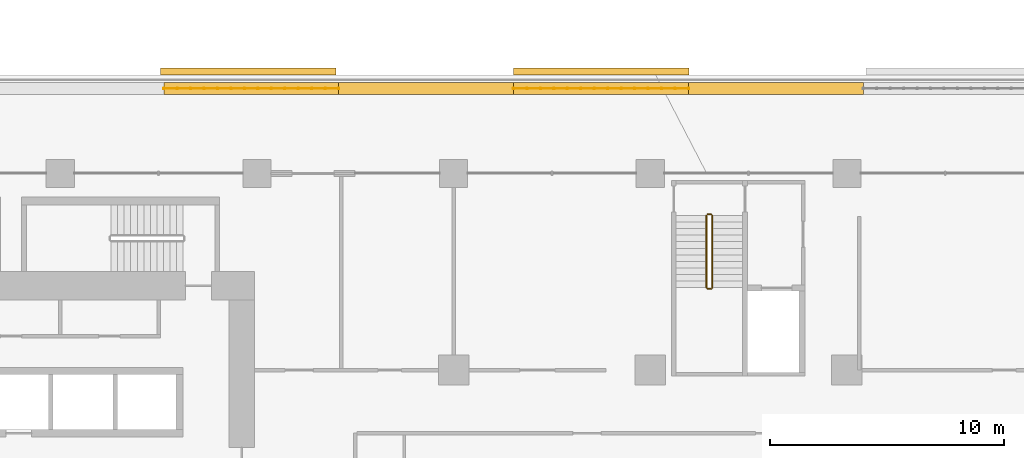
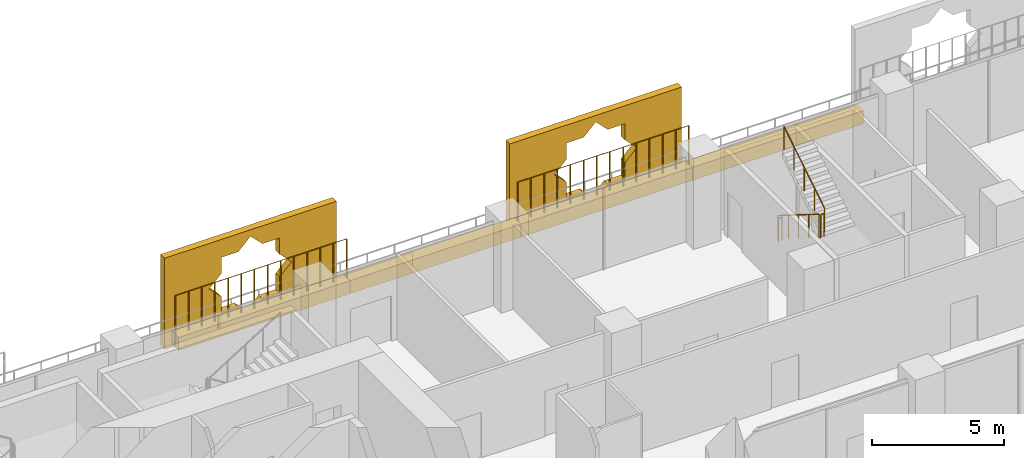
# One storey, part 26 of 27: 6 coverings, 6 railings.
"""IFC4 building model written with IfcOpenShell, lengths in metres."""

from ifc_helpers import new_model, si_unit, direction, frame, origin, origin_2d, place, context, subcontext, project, spatial, polyline, rectangle, circle, outline, extrude, material, material_profile, profile_set, type_object, element, save


model = new_model("IFC4")

# Units and contexts
model_context = context("Model", 3, precision=1e-05, world=origin(), true_north=direction((0.0, 1.0)))
body_context = subcontext(model_context, "Body", "Model", "MODEL_VIEW")
ifc_project = project(units=[si_unit("LENGTHUNIT", "METRE"), si_unit("AREAUNIT", "SQUARE_METRE"), si_unit("VOLUMEUNIT", "CUBIC_METRE"), si_unit("PLANEANGLEUNIT", "RADIAN"), si_unit("MASSUNIT", "GRAM", prefix="KILO")], contexts=[model_context])

# Site, building, storey
site_placement = place(None, origin())
site = spatial("IfcSite", under=ifc_project, at=site_placement, CompositionType="ELEMENT")
building_placement = place(site_placement, origin())
building = spatial("IfcBuilding", under=site, at=building_placement, Name="Kawkab Arch Medical Tower", CompositionType="ELEMENT")
storey_placement = place(building_placement, frame((0.0, 0.0, 39.199951171875)))
storey = spatial("IfcBuildingStorey", under=building, at=storey_placement, Name="L08", CompositionType="ELEMENT", Elevation=39.199951171875)

# Coverings
ifc_material_1 = material(Name="Bronze anodised aluminium mashrabiya panel, eight-point star pattern", Category="aluminium")
ifc_material_profile_1 = material_profile(ifc_material_1, outline(polyline([(-3.75, -2.10009765625), (3.75, -2.10009765625), (3.75, 2.10009765625), (-3.75, 2.10009765625), (-3.75, -2.10009765625)]), holes=[polyline([(1.800048828125, 0.0), (1.272705078125, 0.527099609375), (1.272705078125, 1.272705078125), (0.527099609375, 1.272705078125), (0.0, 1.800048828125), (-0.527099609375, 1.272705078125), (-1.272705078125, 1.272705078125), (-1.272705078125, 0.527099609375), (-1.800048828125, 0.0), (-1.272705078125, -0.527099609375), (-1.272705078125, -1.272705078125), (-0.527099609375, -1.272705078125), (0.0, -1.800048828125), (0.527099609375, -1.272705078125), (1.272705078125, -1.272705078125), (1.272705078125, -0.527099609375), (1.800048828125, 0.0)])]), Name="Mashrabiya panel 7500x4200")
ifc_profile_set_1 = profile_set([ifc_material_profile_1], Name="Bronze anodised aluminium mashrabiya panel, eight-point star pattern")
covering_type_1 = type_object("IfcCoveringType", Name="Mashrabiya panel 7500 x 4200", PredefinedType="USERDEFINED", material=ifc_profile_set_1)
for number, where, z_axis, x_axis, name in (
    (1, (24.83544921875, 4.199951171875, 1.699951171875), (0.0, 1.0, 0.0), (-1.0, 0.0, 0.0), "Mashrabiya panel L08.LOG-01-01.7"),
    (2, (39.89990234375, 4.199951171875, 1.699951171875), (0.0, 1.0, 0.0), (-1.0, 0.0, 0.0), "Mashrabiya panel L08.LOG-01-01.8"),
):
    element("IfcCovering", number, at=place(storey_placement, frame(where, z_axis=z_axis, x_axis=x_axis)), inside=storey, type_object=covering_type_1, Name=name, ObjectType="SCREEN", PredefinedType="USERDEFINED", context=body_context, shape_type="SweptSolid", body=[
        extrude(outline(polyline([(-3.75, -2.10009765625), (3.75, -2.10009765625), (3.75, 2.10009765625), (-3.75, 2.10009765625), (-3.75, -2.10009765625)]), holes=[polyline([(1.800048828125, 0.0), (1.272705078125, 0.527099609375), (1.272705078125, 1.272705078125), (0.527099609375, 1.272705078125), (0.0, 1.800048828125), (-0.527099609375, 1.272705078125), (-1.272705078125, 1.272705078125), (-1.272705078125, 0.527099609375), (-1.800048828125, 0.0), (-1.272705078125, -0.527099609375), (-1.272705078125, -1.272705078125), (-0.527099609375, -1.272705078125), (0.0, -1.800048828125), (0.527099609375, -1.272705078125), (1.272705078125, -1.272705078125), (1.272705078125, -0.527099609375), (1.800048828125, 0.0)])]), origin(), (0.0, 0.0, 1.0), 0.300048828125),
    ])
ifc_material_2 = material(Name="Planting soil in a precast trough", Category="concrete")
ifc_material_profile_2 = material_profile(ifc_material_2, rectangle(XDim=0.5, YDim=0.60009765625, at=origin_2d()), Name="Trough 500x600")
ifc_profile_set_2 = profile_set([ifc_material_profile_2], Name="Planting soil in a precast trough")
covering_type_2 = type_object("IfcCoveringType", Name="Planter trough 500 x 600", PredefinedType="USERDEFINED", material=ifc_profile_set_2)
covering_placement = place(storey_placement, frame((21.22412109375, 3.6201171875, 0.300048828125), z_axis=(1.0, 0.0, 0.0), x_axis=(0.0, 1.0, 0.0)))
element("IfcCovering", 3, at=covering_placement, inside=storey, type_object=covering_type_2, Name="Planter L08.LOG-01-01.27", ObjectType="PLANTER", PredefinedType="USERDEFINED", context=body_context, shape_type="SweptSolid", body=[
    extrude(rectangle(XDim=0.5, YDim=0.60009765625, at=origin_2d()), origin(), (0.0, 0.0, 1.0), 7.470947265625),
])
for number, where, z_axis, x_axis, name in (
    (4, (28.695068359375, 3.6201171875, 0.300048828125), (1.0, 0.0, 0.0), (0.0, 1.0, 0.0), "Planter L08.LOG-01-01.28"),
    (5, (36.1650390625, 3.6201171875, 0.300048828125), (1.0, 0.0, 0.0), (0.0, 1.0, 0.0), "Planter L08.LOG-01-01.29"),
    (6, (43.635009765625, 3.6201171875, 0.300048828125), (1.0, 0.0, 0.0), (0.0, 1.0, 0.0), "Planter L08.LOG-01-01.30"),
):
    element("IfcCovering", number, at=place(storey_placement, frame(where, z_axis=z_axis, x_axis=x_axis)), inside=storey, type_object=covering_type_2, Name=name, ObjectType="PLANTER", PredefinedType="USERDEFINED", context=body_context, shape_type="SweptSolid", body=[
        extrude(rectangle(XDim=0.5, YDim=0.60009765625, at=origin_2d()), origin(), (0.0, 0.0, 1.0), 7.469970703125),
    ])

# Railings
ifc_material_3 = material(Name="Bronze anodised aluminium trellis for climbing plants", Category="aluminium")
railing_type_1 = type_object("IfcRailingType", Name="Planting trellis 2400", PredefinedType="USERDEFINED", material=ifc_material_3)
railing_1_placement = place(storey_placement, frame((21.22412109375, 3.6201171875, 0.0)))
element("IfcRailing", 7, at=railing_1_placement, inside=storey, type_object=railing_type_1, Name="Planting trellis L08.LOG-01-01.27", ObjectType="TRELLIS", PredefinedType="USERDEFINED", context=body_context, shape_type="SweptSolid", body=[
    extrude(circle(Radius=0.01513671875, at=origin_2d()), frame((0.0, 0.0, 2.384765625), z_axis=(1.0, 0.0, 0.0), x_axis=(0.0, 1.0, 0.0)), (0.0, 0.0, 1.0), 7.470947265625),
    extrude(circle(Radius=0.030029296875, at=origin_2d()), origin(), (0.0, 0.0, 1.0), 2.369873046875),
    extrude(circle(Radius=0.030029296875, at=origin_2d()), frame((0.57470703125, 0.0, 0.0)), (0.0, 0.0, 1.0), 2.369873046875),
    extrude(circle(Radius=0.030029296875, at=origin_2d()), frame((1.1494140625, 0.0, 0.0)), (0.0, 0.0, 1.0), 2.369873046875),
    extrude(circle(Radius=0.030029296875, at=origin_2d()), frame((1.72412109375, 0.0, 0.0)), (0.0, 0.0, 1.0), 2.369873046875),
    extrude(circle(Radius=0.030029296875, at=origin_2d()), frame((2.298828125, 0.0, 0.0)), (0.0, 0.0, 1.0), 2.369873046875),
    extrude(circle(Radius=0.030029296875, at=origin_2d()), frame((2.87353515625, 0.0, 0.0)), (0.0, 0.0, 1.0), 2.369873046875),
    extrude(circle(Radius=0.030029296875, at=origin_2d()), frame((3.4482421875, 0.0, 0.0)), (0.0, 0.0, 1.0), 2.369873046875),
    extrude(circle(Radius=0.030029296875, at=origin_2d()), frame((4.022705078125, 0.0, 0.0)), (0.0, 0.0, 1.0), 2.369873046875),
    extrude(circle(Radius=0.030029296875, at=origin_2d()), frame((4.597412109375, 0.0, 0.0)), (0.0, 0.0, 1.0), 2.369873046875),
    extrude(circle(Radius=0.030029296875, at=origin_2d()), frame((5.172119140625, 0.0, 0.0)), (0.0, 0.0, 1.0), 2.369873046875),
    extrude(circle(Radius=0.030029296875, at=origin_2d()), frame((5.746826171875, 0.0, 0.0)), (0.0, 0.0, 1.0), 2.369873046875),
    extrude(circle(Radius=0.030029296875, at=origin_2d()), frame((6.321533203125, 0.0, 0.0)), (0.0, 0.0, 1.0), 2.369873046875),
    extrude(circle(Radius=0.030029296875, at=origin_2d()), frame((6.896240234375, 0.0, 0.0)), (0.0, 0.0, 1.0), 2.369873046875),
    extrude(circle(Radius=0.030029296875, at=origin_2d()), frame((7.470947265625, 0.0, 0.0)), (0.0, 0.0, 1.0), 2.369873046875),
])
railing_2_placement = place(storey_placement, frame((36.1650390625, 3.6201171875, 0.0)))
element("IfcRailing", 8, at=railing_2_placement, inside=storey, type_object=railing_type_1, Name="Planting trellis L08.LOG-01-01.29", ObjectType="TRELLIS", PredefinedType="USERDEFINED", context=body_context, shape_type="SweptSolid", body=[
    extrude(circle(Radius=0.01513671875, at=origin_2d()), frame((0.0, 0.0, 2.384765625), z_axis=(1.0, 0.0, 0.0), x_axis=(0.0, 1.0, 0.0)), (0.0, 0.0, 1.0), 7.469970703125),
    extrude(circle(Radius=0.030029296875, at=origin_2d()), origin(), (0.0, 0.0, 1.0), 2.369873046875),
    extrude(circle(Radius=0.030029296875, at=origin_2d()), frame((0.57470703125, 0.0, 0.0)), (0.0, 0.0, 1.0), 2.369873046875),
    extrude(circle(Radius=0.030029296875, at=origin_2d()), frame((1.149169921875, 0.0, 0.0)), (0.0, 0.0, 1.0), 2.369873046875),
    extrude(circle(Radius=0.030029296875, at=origin_2d()), frame((1.723876953125, 0.0, 0.0)), (0.0, 0.0, 1.0), 2.369873046875),
    extrude(circle(Radius=0.030029296875, at=origin_2d()), frame((2.29833984375, 0.0, 0.0)), (0.0, 0.0, 1.0), 2.369873046875),
    extrude(circle(Radius=0.030029296875, at=origin_2d()), frame((2.873046875, 0.0, 0.0)), (0.0, 0.0, 1.0), 2.369873046875),
    extrude(circle(Radius=0.030029296875, at=origin_2d()), frame((3.44775390625, 0.0, 0.0)), (0.0, 0.0, 1.0), 2.369873046875),
    extrude(circle(Radius=0.030029296875, at=origin_2d()), frame((4.022216796875, 0.0, 0.0)), (0.0, 0.0, 1.0), 2.369873046875),
    extrude(circle(Radius=0.030029296875, at=origin_2d()), frame((4.596923828125, 0.0, 0.0)), (0.0, 0.0, 1.0), 2.369873046875),
    extrude(circle(Radius=0.030029296875, at=origin_2d()), frame((5.171630859375, 0.0, 0.0)), (0.0, 0.0, 1.0), 2.369873046875),
    extrude(circle(Radius=0.030029296875, at=origin_2d()), frame((5.74609375, 0.0, 0.0)), (0.0, 0.0, 1.0), 2.369873046875),
    extrude(circle(Radius=0.030029296875, at=origin_2d()), frame((6.32080078125, 0.0, 0.0)), (0.0, 0.0, 1.0), 2.369873046875),
    extrude(circle(Radius=0.030029296875, at=origin_2d()), frame((6.895263671875, 0.0, 0.0)), (0.0, 0.0, 1.0), 2.369873046875),
    extrude(circle(Radius=0.030029296875, at=origin_2d()), frame((7.469970703125, 0.0, 0.0)), (0.0, 0.0, 1.0), 2.369873046875),
])
ifc_material_4 = material(Name="Stainless steel", Category="steel")
railing_type_2 = type_object("IfcRailingType", Name="Stair guard 1100", PredefinedType="GUARDRAIL", material=ifc_material_4)
railing_3_placement = place(storey_placement, frame((44.39990234375, -1.800048828125, 0.175048828125)))
element("IfcRailing", 9, at=railing_3_placement, inside=storey, type_object=railing_type_2, Name="L08 ST5 stair guard 1", PredefinedType="GUARDRAIL", context=body_context, shape_type="SweptSolid", body=[
    extrude(circle(Radius=0.02392578125, at=origin_2d()), frame((0.0, 0.0, 1.076171875), z_axis=(0.0, -0.847979421464, 0.530029150871), x_axis=(1.0, 0.0, 0.0)), (0.0, 0.0, 1.0), 3.632080078125),
    extrude(circle(Radius=0.02099609375, at=origin_2d()), origin(), (0.0, 0.0, 1.0), 1.052001953125),
    extrude(circle(Radius=0.02099609375, at=origin_2d()), frame((0.0, -0.77001953125, 0.481201171875)), (0.0, 0.0, 1.0), 1.052001953125),
    extrude(circle(Radius=0.02099609375, at=origin_2d()), frame((0.0, -1.5400390625, 0.96240234375)), (0.0, 0.0, 1.0), 1.052001953125),
    extrude(circle(Radius=0.02099609375, at=origin_2d()), frame((0.0, -2.309814453125, 1.44384765625)), (0.0, 0.0, 1.0), 1.052001953125),
    extrude(circle(Radius=0.02099609375, at=origin_2d()), frame((0.0, -3.079833984375, 1.925048828125)), (0.0, 0.0, 1.0), 1.052001953125),
])
railing_4_placement = place(storey_placement, frame((44.449951171875, -4.929931640625, 2.10009765625)))
element("IfcRailing", 10, at=railing_4_placement, inside=storey, type_object=railing_type_2, Name="L08 ST5 stair guard 2", PredefinedType="GUARDRAIL", context=body_context, shape_type="SweptSolid", body=[
    extrude(circle(Radius=0.02392578125, at=origin_2d()), frame((0.0, 0.0, 1.076171875), z_axis=(1.0, 0.0, 0.0), x_axis=(0.0, 1.0, 0.0)), (0.0, 0.0, 1.0), 0.150146484375),
    extrude(circle(Radius=0.02099609375, at=origin_2d()), origin(), (0.0, 0.0, 1.0), 1.052001953125),
    extrude(circle(Radius=0.02099609375, at=origin_2d()), frame((0.150146484375, 0.0, 0.0)), (0.0, 0.0, 1.0), 1.052001953125),
])
railing_5_placement = place(storey_placement, frame((44.64990234375, -4.8798828125, 2.275146484375)))
element("IfcRailing", 11, at=railing_5_placement, inside=storey, type_object=railing_type_2, Name="L08 ST5 stair guard 3", PredefinedType="GUARDRAIL", context=body_context, shape_type="SweptSolid", body=[
    extrude(circle(Radius=0.02392578125, at=origin_2d()), frame((0.0, 0.0, 1.076171875), z_axis=(0.0, 0.848009633417, 0.529980812513), x_axis=(-1.0, 0.0, 0.0)), (0.0, 0.0, 1.0), 3.6318359375),
    extrude(circle(Radius=0.02099609375, at=origin_2d()), origin(), (0.0, 0.0, 1.0), 1.052001953125),
    extrude(circle(Radius=0.02099609375, at=origin_2d()), frame((0.0, 0.77001953125, 0.481201171875)), (0.0, 0.0, 1.0), 1.052001953125),
    extrude(circle(Radius=0.02099609375, at=origin_2d()), frame((0.0, 1.5400390625, 0.96240234375)), (0.0, 0.0, 1.0), 1.052001953125),
    extrude(circle(Radius=0.02099609375, at=origin_2d()), frame((0.0, 2.309814453125, 1.443603515625)), (0.0, 0.0, 1.0), 1.052001953125),
    extrude(circle(Radius=0.02099609375, at=origin_2d()), frame((0.0, 3.079833984375, 1.9248046875)), (0.0, 0.0, 1.0), 1.052001953125),
])
railing_6_placement = place(storey_placement, frame((44.449951171875, -1.75, 0.0)))
element("IfcRailing", 12, at=railing_6_placement, inside=storey, type_object=railing_type_2, Name="L08 ST5 stair guard 4", PredefinedType="GUARDRAIL", context=body_context, shape_type="SweptSolid", body=[
    extrude(circle(Radius=0.02392578125, at=origin_2d()), frame((0.0, 0.0, 1.076171875), z_axis=(1.0, 0.0, 0.0), x_axis=(0.0, 1.0, 0.0)), (0.0, 0.0, 1.0), 0.150146484375),
    extrude(circle(Radius=0.02099609375, at=origin_2d()), origin(), (0.0, 0.0, 1.0), 1.052001953125),
    extrude(circle(Radius=0.02099609375, at=origin_2d()), frame((0.150146484375, 0.0, 0.0)), (0.0, 0.0, 1.0), 1.052001953125),
])

save(model, "model.ifc")
